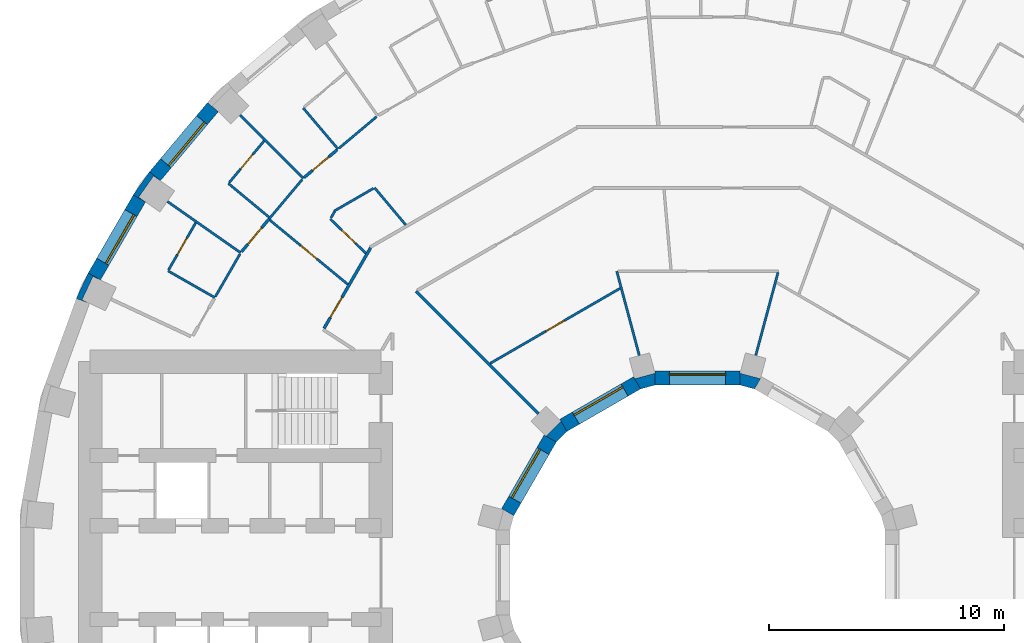
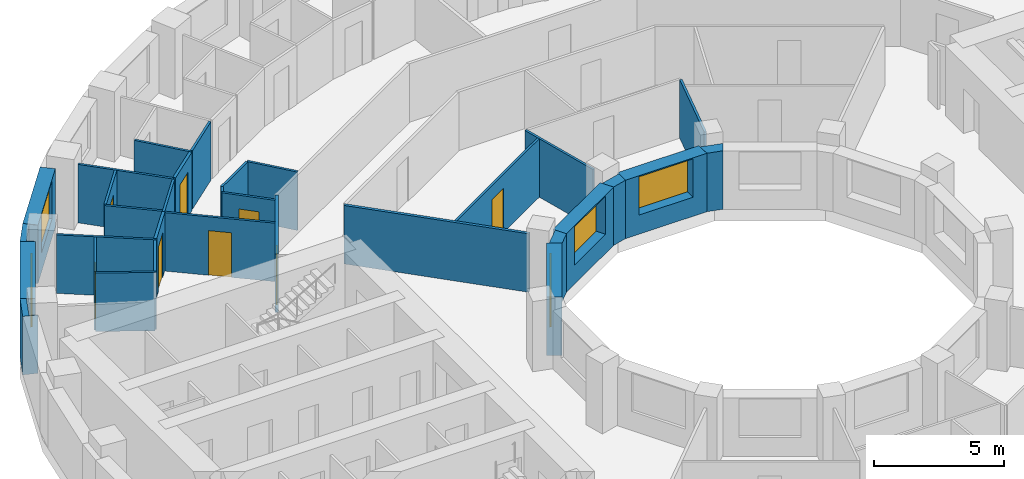
# One storey, part 10 of 15: 32 walls, 8 doors, 5 windows, 13 openings.
"""IFC4 building model written with IfcOpenShell, lengths in metres."""

from ifc_helpers import new_model, si_unit, direction, frame, frame_2d, origin, place, context, subcontext, project, spatial, polyline, rectangle, outline, extrude, material, layer, layer_set, type_object, element, fill, save


model = new_model("IFC4")

# Units and contexts
model_context = context("Model", 3, precision=1e-05, world=origin(), true_north=direction((0.0, 1.0)))
body_context = subcontext(model_context, "Body", "Model", "MODEL_VIEW")
ifc_project = project(units=[si_unit("LENGTHUNIT", "METRE"), si_unit("AREAUNIT", "SQUARE_METRE"), si_unit("VOLUMEUNIT", "CUBIC_METRE"), si_unit("PLANEANGLEUNIT", "RADIAN"), si_unit("MASSUNIT", "GRAM", prefix="KILO")], contexts=[model_context])

# Site, building, storey
site_placement = place(None, origin())
site = spatial("IfcSite", under=ifc_project, at=site_placement, CompositionType="ELEMENT")
building_placement = place(site_placement, origin())
building = spatial("IfcBuilding", under=site, at=building_placement, Name="Saqina Gate Tower", CompositionType="ELEMENT")
storey_placement = place(building_placement, frame((0.0, 0.0, 59.300048828125)))
storey = spatial("IfcBuildingStorey", under=building, at=storey_placement, Name="L16", CompositionType="ELEMENT", Elevation=59.300048828125)

# Walls
ifc_material_1 = material(Name="Brick masonry (red)", Category="masonry")
wall_type_1 = type_object("IfcWallType", Name="BRICK PIER COPING RED", PredefinedType="SOLIDWALL", material=ifc_material_1)
wall_1_placement = place(storey_placement, origin())
element("IfcWall", 1, at=wall_1_placement, inside=storey, type_object=wall_type_1, Name="Pier cap L16 column 15", PredefinedType="SOLIDWALL", context=body_context, shape_type="SweptSolid", body=[
    extrude(outline(polyline([(-23.36669921875, 17.096923828125), (-24.0576171875, 16.110107421875), (-23.5380859375, 15.81005859375), (-23.8251953125, 16.010986328125), (-23.194091796875, 16.912109375), (-22.9072265625, 16.711181640625), (-23.36669921875, 17.096923828125)])), origin(), (0.0, 0.0, 1.0), 2.75),
])
wall_2_placement = place(storey_placement, origin())
element("IfcWall", 2, at=wall_2_placement, inside=storey, type_object=wall_type_1, Name="Pier cap L16 column 16", PredefinedType="SOLIDWALL", context=body_context, shape_type="SweptSolid", body=[
    extrude(outline(polyline([(-26.48974609375, 11.687744140625), (-25.92578125, 11.482666015625), (-26.243408203125, 11.630615234375), (-25.778564453125, 12.627685546875), (-25.4609375, 12.4794921875), (-25.980712890625, 12.779541015625), (-26.48974609375, 11.687744140625)])), origin(), (0.0, 0.0, 1.0), 2.75),
])

# Wall, opening, window
ifc_material_2 = material(Name="Brick masonry (red)", Category="masonry")
ifc_layer_1 = layer(ifc_material_2, 0.60009765625)
ifc_layer_set_1 = layer_set([ifc_layer_1], Name="FW-BRICK-RED")
wall_type_2 = type_object("IfcWallType", Name="FW-BRICK-RED", PredefinedType="SOLIDWALL", material=ifc_layer_set_1)
wall_3_placement = place(storey_placement, frame((-20.664794921875, 19.85009765625, 0.0), z_axis=(0.0, 0.0, 1.0), x_axis=(-0.642809392687, -0.766026164483, 0.0)))
wall_3 = element("IfcWall", 3, at=wall_3_placement, inside=storey, type_object=wall_type_2, Name="Facade wall L16 facet 14", PredefinedType="SOLIDWALL", context=body_context, shape_type="SweptSolid", body=[
    extrude(rectangle(XDim=3.845947265625, YDim=0.60009765625, at=frame_2d((1.9228515625, 0.0))), origin(), (0.0, 0.0, 1.0), 2.75),
])
opening_1_placement = place(wall_3_placement, frame((0.722900390625, 0.0, 0.89990234375)))
opening_1 = element("IfcOpeningElement", 4, at=opening_1_placement, cuts=wall_3, Name="Opening G04-W09", PredefinedType="OPENING", context=body_context, shape_type="SweptSolid", body=[
    extrude(rectangle(XDim=2.39990234375, YDim=1.800048828125, at=frame_2d((1.199951171875, 0.89990234375))), frame((0.0, 0.31201171875, 0.0), z_axis=(0.0, -1.0, 0.0), x_axis=(1.0, 0.0, 0.0)), (0.0, 0.0, 1.0), 0.6240234375),
])
ifc_material_3 = material(Name="Aluminium glazing", Category="aluminium")
window_type_1 = type_object("IfcWindowType", Name="WN-A", PartitioningType="SINGLE_PANEL", PredefinedType="WINDOW", material=ifc_material_3)
window_1_placement = place(opening_1_placement, origin())
window_1 = element("IfcWindow", 5, at=window_1_placement, inside=storey, type_object=window_type_1, Name="Window L16 facet 14", OverallHeight=1.800048828125, OverallWidth=2.39990234375, PartitioningType="SINGLE_PANEL", PredefinedType="WINDOW", context=body_context, shape_type="SweptSolid", body=[
    extrude(rectangle(XDim=2.39990234375, YDim=1.800048828125, at=frame_2d((1.199951171875, 0.89990234375))), frame((0.0, 0.179931640625, 0.0), z_axis=(0.0, -1.0, 0.0), x_axis=(1.0, 0.0, 0.0)), (0.0, 0.0, 1.0), 0.06005859375),
])
fill(opening_1, window_1)

wall_4_placement = place(storey_placement, frame((-23.7978515625, 15.960205078125, 0.0), z_axis=(0.0, 0.0, 1.0), x_axis=(-0.499989888488, -0.86603124159, 0.0)))
wall_4 = element("IfcWall", 6, at=wall_4_placement, inside=storey, type_object=wall_type_2, Name="Facade wall L16 facet 15", PredefinedType="SOLIDWALL", context=body_context, shape_type="SweptSolid", body=[
    extrude(rectangle(XDim=3.845703125, YDim=0.60009765625, at=frame_2d((1.9228515625, 0.0))), origin(), (0.0, 0.0, 1.0), 2.75),
])
opening_2_placement = place(wall_4_placement, frame((0.722900390625, 0.0, 0.89990234375)))
opening_2 = element("IfcOpeningElement", 7, at=opening_2_placement, cuts=wall_4, Name="Opening G04-W10", PredefinedType="OPENING", context=body_context, shape_type="SweptSolid", body=[
    extrude(rectangle(XDim=2.39990234375, YDim=1.800048828125, at=frame_2d((1.199951171875, 0.89990234375))), frame((0.0, 0.31201171875, 0.0), z_axis=(0.0, -1.0, 0.0), x_axis=(1.0, 0.0, 0.0)), (0.0, 0.0, 1.0), 0.6240234375),
])
window_2_placement = place(opening_2_placement, origin())
window_2 = element("IfcWindow", 8, at=window_2_placement, inside=storey, type_object=window_type_1, Name="Window L16 facet 15", OverallHeight=1.800048828125, OverallWidth=2.39990234375, PartitioningType="SINGLE_PANEL", PredefinedType="WINDOW", context=body_context, shape_type="SweptSolid", body=[
    extrude(rectangle(XDim=2.39990234375, YDim=1.800048828125, at=frame_2d((1.199951171875, 0.89990234375))), frame((0.0, 0.179931640625, 0.0), z_axis=(0.0, -1.0, 0.0), x_axis=(1.0, 0.0, 0.0)), (0.0, 0.0, 1.0), 0.06005859375),
])
fill(opening_2, window_2)

ifc_material_4 = material(Name="Glazed ceramic tile", Category="ceramic")
ifc_layer_2 = layer(ifc_material_4, 0.60009765625)
ifc_layer_set_2 = layer_set([ifc_layer_2], Name="IW-TILE")
wall_type_3 = type_object("IfcWallType", Name="IW-TILE", PredefinedType="SOLIDWALL", material=ifc_layer_set_2)
wall_5_placement = place(storey_placement, frame((1.8125, 8.300048828125, 0.0), z_axis=(0.0, 0.0, 1.0), x_axis=(-1.0, 0.0, 0.0)))
wall_5 = element("IfcWall", 9, at=wall_5_placement, inside=storey, type_object=wall_type_3, Name="Well wall L16 facet 3", PredefinedType="SOLIDWALL", context=body_context, shape_type="SweptSolid", body=[
    extrude(rectangle(XDim=3.625, YDim=0.60009765625, at=frame_2d((1.8125, 0.0))), origin(), (0.0, 0.0, 1.0), 2.75),
])
opening_3_placement = place(wall_5_placement, frame((0.612548828125, 0.0, 0.89990234375)))
opening_3 = element("IfcOpeningElement", 10, at=opening_3_placement, cuts=wall_5, Name="Opening G04-W26", PredefinedType="OPENING", context=body_context, shape_type="SweptSolid", body=[
    extrude(rectangle(XDim=2.39990234375, YDim=1.800048828125, at=frame_2d((1.199951171875, 0.89990234375))), frame((0.0, 0.31201171875, 0.0), z_axis=(0.0, -1.0, 0.0), x_axis=(1.0, 0.0, 0.0)), (0.0, 0.0, 1.0), 0.6240234375),
])
ifc_material_5 = material(Name="Aluminium glazing", Category="aluminium")
window_type_2 = type_object("IfcWindowType", Name="WN-W", PartitioningType="SINGLE_PANEL", PredefinedType="WINDOW", material=ifc_material_5)
window_3_placement = place(opening_3_placement, origin())
window_3 = element("IfcWindow", 11, at=window_3_placement, inside=storey, type_object=window_type_2, Name="Well window L16 facet 3", OverallHeight=1.800048828125, OverallWidth=2.39990234375, PartitioningType="SINGLE_PANEL", PredefinedType="WINDOW", context=body_context, shape_type="SweptSolid", body=[
    extrude(rectangle(XDim=2.39990234375, YDim=1.800048828125, at=frame_2d((1.199951171875, 0.89990234375))), frame((0.0, -0.119873046875, 0.0), z_axis=(0.0, -1.0, 0.0), x_axis=(1.0, 0.0, 0.0)), (0.0, 0.0, 1.0), 0.06005859375),
])
fill(opening_3, window_3)

wall_6_placement = place(storey_placement, frame((-2.580322265625, 8.09423828125, 0.0), z_axis=(0.0, 0.0, 1.0), x_axis=(-0.866029693906, -0.499992569217, 0.0)))
wall_6 = element("IfcWall", 12, at=wall_6_placement, inside=storey, type_object=wall_type_3, Name="Well wall L16 facet 4", PredefinedType="SOLIDWALL", context=body_context, shape_type="SweptSolid", body=[
    extrude(rectangle(XDim=3.625, YDim=0.60009765625, at=frame_2d((1.8125, 0.0))), origin(), (0.0, 0.0, 1.0), 2.75),
])
opening_4_placement = place(wall_6_placement, frame((0.612548828125, 0.0, 0.89990234375)))
opening_4 = element("IfcOpeningElement", 13, at=opening_4_placement, cuts=wall_6, Name="Opening G04-W27", PredefinedType="OPENING", context=body_context, shape_type="SweptSolid", body=[
    extrude(rectangle(XDim=2.39990234375, YDim=1.800048828125, at=frame_2d((1.199951171875, 0.89990234375))), frame((0.0, 0.31201171875, 0.0), z_axis=(0.0, -1.0, 0.0), x_axis=(1.0, 0.0, 0.0)), (0.0, 0.0, 1.0), 0.6240234375),
])
window_4_placement = place(opening_4_placement, origin())
window_4 = element("IfcWindow", 14, at=window_4_placement, inside=storey, type_object=window_type_2, Name="Well window L16 facet 4", OverallHeight=1.800048828125, OverallWidth=2.39990234375, PartitioningType="SINGLE_PANEL", PredefinedType="WINDOW", context=body_context, shape_type="SweptSolid", body=[
    extrude(rectangle(XDim=2.39990234375, YDim=1.800048828125, at=frame_2d((1.199951171875, 0.89990234375))), frame((0.0, -0.119873046875, 0.0), z_axis=(0.0, -1.0, 0.0), x_axis=(1.0, 0.0, 0.0)), (0.0, 0.0, 1.0), 0.06005859375),
])
fill(opening_4, window_4)

wall_7_placement = place(storey_placement, frame((-6.28173828125, 5.7197265625, 0.0), z_axis=(0.0, 0.0, 1.0), x_axis=(-0.499992569217, -0.866029693906, 0.0)))
wall_7 = element("IfcWall", 15, at=wall_7_placement, inside=storey, type_object=wall_type_3, Name="Well wall L16 facet 5", PredefinedType="SOLIDWALL", context=body_context, shape_type="SweptSolid", body=[
    extrude(rectangle(XDim=3.625, YDim=0.60009765625, at=frame_2d((1.8125, 0.0))), origin(), (0.0, 0.0, 1.0), 2.75),
])
opening_5_placement = place(wall_7_placement, frame((0.612548828125, 0.0, 0.89990234375)))
opening_5 = element("IfcOpeningElement", 16, at=opening_5_placement, cuts=wall_7, Name="Opening G04-W28", PredefinedType="OPENING", context=body_context, shape_type="SweptSolid", body=[
    extrude(rectangle(XDim=2.39990234375, YDim=1.800048828125, at=frame_2d((1.199951171875, 0.89990234375))), frame((0.0, 0.31201171875, 0.0), z_axis=(0.0, -1.0, 0.0), x_axis=(1.0, 0.0, 0.0)), (0.0, 0.0, 1.0), 0.6240234375),
])
window_5_placement = place(opening_5_placement, origin())
window_5 = element("IfcWindow", 17, at=window_5_placement, inside=storey, type_object=window_type_2, Name="Well window L16 facet 5", OverallHeight=1.800048828125, OverallWidth=2.39990234375, PartitioningType="SINGLE_PANEL", PredefinedType="WINDOW", context=body_context, shape_type="SweptSolid", body=[
    extrude(rectangle(XDim=2.39990234375, YDim=1.800048828125, at=frame_2d((1.199951171875, 0.89990234375))), frame((0.0, -0.119873046875, 0.0), z_axis=(0.0, -1.0, 0.0), x_axis=(1.0, 0.0, 0.0)), (0.0, 0.0, 1.0), 0.06005859375),
])
fill(opening_5, window_5)

# Walls
ifc_material_6 = material(Name="Gypsum board on steel studs, 100 mm", Category="steel")
ifc_layer_3 = layer(ifc_material_6, 0.10009765625)
ifc_layer_set_3 = layer_set([ifc_layer_3], Name="PARTITION 100")
wall_type_4 = type_object("IfcWallType", Name="PARTITION 100", PredefinedType="PARTITIONING", material=ifc_layer_set_3)
wall_8_placement = place(storey_placement, frame((-3.443115234375, 12.85009765625, 0.0), z_axis=(0.0, 0.0, 1.0), x_axis=(0.258137576588, -0.966108167626, 0.0)))
element("IfcWall", 18, at=wall_8_placement, inside=storey, type_object=wall_type_4, Name="PARTITION PW3-10", PredefinedType="PARTITIONING", context=body_context, shape_type="SweptSolid", body=[
    extrude(rectangle(XDim=3.711181640625, YDim=0.10009765625, at=frame_2d((1.85546875, 0.0))), origin(), (0.0, 0.0, 1.0), 2.75),
])
wall_9_placement = place(storey_placement, frame((-13.77197265625, 16.4130859375, 0.0), z_axis=(0.0, 0.0, 1.0), x_axis=(0.642721705291, -0.766099738643, 0.0)))
element("IfcWall", 19, at=wall_9_placement, inside=storey, type_object=wall_type_4, Name="PARTITION PW3-22", PredefinedType="PARTITIONING", context=body_context, shape_type="SweptSolid", body=[
    extrude(rectangle(XDim=2.06982421875, YDim=0.10009765625, at=frame_2d((1.034912109375, 0.0))), origin(), (0.0, 0.0, 1.0), 2.75),
])
wall_10_placement = place(storey_placement, frame((-16.81689453125, 19.81591796875, 0.0), z_axis=(0.0, 0.0, 1.0), x_axis=(0.646883930741, -0.762588473653, 0.0)))
element("IfcWall", 20, at=wall_10_placement, inside=storey, type_object=wall_type_4, Name="PARTITION PW3-23", PredefinedType="PARTITIONING", context=body_context, shape_type="SweptSolid", body=[
    extrude(rectangle(XDim=2.300048828125, YDim=0.10009765625, at=frame_2d((1.14990234375, 0.0))), origin(), (0.0, 0.0, 1.0), 2.75),
])
wall_11_placement = place(storey_placement, frame((-19.509033203125, 19.509033203125, 0.0), z_axis=(0.0, 0.0, 1.0), x_axis=(0.707106781187, -0.707106781187, 0.0)))
element("IfcWall", 21, at=wall_11_placement, inside=storey, type_object=wall_type_4, Name="PARTITION PW3-25", PredefinedType="PARTITIONING", context=body_context, shape_type="SweptSolid", body=[
    extrude(rectangle(XDim=3.81005859375, YDim=0.10009765625, at=frame_2d((1.905029296875, 0.0))), origin(), (0.0, 0.0, 1.0), 2.75),
])

# Wall, opening, door
wall_12_placement = place(storey_placement, frame((-15.657958984375, 15.077880859375, 0.0), z_axis=(0.0, 0.0, 1.0), x_axis=(0.720406258369, -0.693552321676, 0.0)))
wall_12 = element("IfcWall", 22, at=wall_12_placement, inside=storey, type_object=wall_type_4, Name="PARTITION PW3-27", PredefinedType="PARTITIONING", context=body_context, shape_type="SweptSolid", body=[
    extrude(rectangle(XDim=2.10009765625, YDim=0.10009765625, at=frame_2d((1.050048828125, 0.0))), origin(), (0.0, 0.0, 1.0), 2.75),
])
opening_6_placement = place(wall_12_placement, frame((0.681396484375, 0.0, 0.0)))
opening_6 = element("IfcOpeningElement", 23, at=opening_6_placement, cuts=wall_12, Name="Opening G04-D30", PredefinedType="OPENING", context=body_context, shape_type="SweptSolid", body=[
    extrude(rectangle(XDim=0.800048828125, YDim=2.10009765625, at=frame_2d((0.39990234375, 1.050048828125))), frame((0.0, 0.06201171875, 0.0), z_axis=(0.0, -1.0, 0.0), x_axis=(1.0, 0.0, 0.0)), (0.0, 0.0, 1.0), 0.1240234375),
])
ifc_material_7 = material(Name="Timber door leaf, 800 mm", Category="wood")
door_type_1 = type_object("IfcDoorType", Name="DOOR 800 TIMBER", OperationType="SINGLE_SWING_LEFT", PredefinedType="DOOR", material=ifc_material_7)
door_1_placement = place(opening_6_placement, frame((0.800048828125, 0.0, 0.0), z_axis=(0.0, 0.0, 1.0), x_axis=(-1.0, 0.0, 0.0)))
door_1 = element("IfcDoor", 24, at=door_1_placement, inside=storey, type_object=door_type_1, Name="DOOR G04-D30", OperationType="SINGLE_SWING_LEFT", OverallHeight=2.10009765625, OverallWidth=0.800048828125, PredefinedType="DOOR", context=body_context, shape_type="SweptSolid", body=[
    extrude(rectangle(XDim=0.800048828125, YDim=2.10009765625, at=frame_2d((0.39990234375, 1.050048828125))), frame((0.0, 0.02490234375, 0.0), z_axis=(0.0, -1.0, 0.0), x_axis=(1.0, 0.0, 0.0)), (0.0, 0.0, 1.0), 0.050048828125),
])
fill(opening_6, door_1)

# Wall
wall_13_placement = place(storey_placement, frame((-20.0029296875, 16.593994140625, 0.0), z_axis=(0.0, 0.0, 1.0), x_axis=(0.769713734446, -0.638389197125, 0.0)))
element("IfcWall", 25, at=wall_13_placement, inside=storey, type_object=wall_type_4, Name="PARTITION PW3-32", PredefinedType="PARTITIONING", context=body_context, shape_type="SweptSolid", body=[
    extrude(rectangle(XDim=2.24951171875, YDim=0.10009765625, at=frame_2d((1.124755859375, 0.0))), origin(), (0.0, 0.0, 1.0), 2.75),
])

# Wall, opening, door
wall_14_placement = place(storey_placement, frame((-18.231689453125, 15.029296875, 0.0), z_axis=(0.0, 0.0, 1.0), x_axis=(0.771607312324, -0.636099171174, 0.0)))
wall_14 = element("IfcWall", 26, at=wall_14_placement, inside=storey, type_object=wall_type_4, Name="PARTITION PW3-34", PredefinedType="PARTITIONING", context=body_context, shape_type="SweptSolid", body=[
    extrude(rectangle(XDim=4.300537109375, YDim=0.10009765625, at=frame_2d((2.150390625, 0.0))), origin(), (0.0, 0.0, 1.0), 2.75),
])
opening_7_placement = place(wall_14_placement, frame((1.7001953125, 0.0, 0.0)))
opening_7 = element("IfcOpeningElement", 27, at=opening_7_placement, cuts=wall_14, Name="Opening G04-D32", PredefinedType="OPENING", context=body_context, shape_type="SweptSolid", body=[
    extrude(rectangle(XDim=0.89990234375, YDim=2.10009765625, at=frame_2d((0.449951171875, 1.050048828125))), frame((0.0, 0.06201171875, 0.0), z_axis=(0.0, -1.0, 0.0), x_axis=(1.0, 0.0, 0.0)), (0.0, 0.0, 1.0), 0.1240234375),
])
ifc_material_8 = material(Name="Timber door leaf, 900 mm", Category="wood")
door_type_2 = type_object("IfcDoorType", Name="DOOR 900 TIMBER", OperationType="SINGLE_SWING_LEFT", PredefinedType="DOOR", material=ifc_material_8)
door_2_placement = place(opening_7_placement, origin())
door_2 = element("IfcDoor", 28, at=door_2_placement, inside=storey, type_object=door_type_2, Name="DOOR G04-D32", OperationType="SINGLE_SWING_LEFT", OverallHeight=2.10009765625, OverallWidth=0.89990234375, PredefinedType="DOOR", context=body_context, shape_type="SweptSolid", body=[
    extrude(rectangle(XDim=0.89990234375, YDim=2.10009765625, at=frame_2d((0.449951171875, 1.050048828125))), frame((0.0, 0.02490234375, 0.0), z_axis=(0.0, -1.0, 0.0), x_axis=(1.0, 0.0, 0.0)), (0.0, 0.0, 1.0), 0.050048828125),
])
fill(opening_7, door_2)

# Walls
wall_15_placement = place(storey_placement, frame((-22.6005859375, 15.824951171875, 0.0), z_axis=(0.0, 0.0, 1.0), x_axis=(0.819153632733, -0.573574167811, 0.0)))
element("IfcWall", 29, at=wall_15_placement, inside=storey, type_object=wall_type_4, Name="PARTITION PW3-36", PredefinedType="PARTITIONING", context=body_context, shape_type="SweptSolid", body=[
    extrude(rectangle(XDim=3.8095703125, YDim=0.10009765625, at=frame_2d((1.90478515625, 0.0))), origin(), (0.0, 0.0, 1.0), 2.75),
])
wall_16_placement = place(storey_placement, frame((-22.580078125, 12.868896484375, 0.0), z_axis=(0.0, 0.0, 1.0), x_axis=(0.868771789729, -0.495212658735, 0.0)))
element("IfcWall", 30, at=wall_16_placement, inside=storey, type_object=wall_type_4, Name="PARTITION PW3-45", PredefinedType="PARTITIONING", context=body_context, shape_type="SweptSolid", body=[
    extrude(rectangle(XDim=2.2998046875, YDim=0.10009765625, at=frame_2d((1.14990234375, 0.0))), origin(), (0.0, 0.0, 1.0), 2.75),
])

# Wall, opening, door
wall_17_placement = place(storey_placement, frame((-8.83984375, 8.92529296875, 0.0), z_axis=(0.0, 0.0, 1.0), x_axis=(0.865965699973, 0.50010339578, 0.0)))
wall_17 = element("IfcWall", 31, at=wall_17_placement, inside=storey, type_object=wall_type_4, Name="PARTITION PW3-75", PredefinedType="PARTITIONING", context=body_context, shape_type="SweptSolid", body=[
    extrude(rectangle(XDim=6.398193359375, YDim=0.10009765625, at=frame_2d((3.19921875, 0.0))), origin(), (0.0, 0.0, 1.0), 2.75),
])
opening_8_placement = place(wall_17_placement, frame((2.742919921875, 0.0, 0.0)))
opening_8 = element("IfcOpeningElement", 32, at=opening_8_placement, cuts=wall_17, Name="Opening G04-D25", PredefinedType="OPENING", context=body_context, shape_type="SweptSolid", body=[
    extrude(rectangle(XDim=0.89990234375, YDim=2.10009765625, at=frame_2d((0.449951171875, 1.050048828125))), frame((0.0, 0.06201171875, 0.0), z_axis=(0.0, -1.0, 0.0), x_axis=(1.0, 0.0, 0.0)), (0.0, 0.0, 1.0), 0.1240234375),
])
door_3_placement = place(opening_8_placement, origin())
door_3 = element("IfcDoor", 33, at=door_3_placement, inside=storey, type_object=door_type_2, Name="DOOR G04-D25", OperationType="SINGLE_SWING_LEFT", OverallHeight=2.10009765625, OverallWidth=0.89990234375, PredefinedType="DOOR", context=body_context, shape_type="SweptSolid", body=[
    extrude(rectangle(XDim=0.89990234375, YDim=2.10009765625, at=frame_2d((0.449951171875, 1.050048828125))), frame((0.0, 0.02490234375, 0.0), z_axis=(0.0, -1.0, 0.0), x_axis=(1.0, 0.0, 0.0)), (0.0, 0.0, 1.0), 0.050048828125),
])
fill(opening_8, door_3)

# Walls
wall_18_placement = place(storey_placement, frame((-15.49609375, 15.4169921875, 0.0), z_axis=(0.0, 0.0, 1.0), x_axis=(0.865919547832, 0.500183303083, 0.0)))
element("IfcWall", 34, at=wall_18_placement, inside=storey, type_object=wall_type_4, Name="PARTITION PW3-76", PredefinedType="PARTITIONING", context=body_context, shape_type="SweptSolid", body=[
    extrude(rectangle(XDim=1.941162109375, YDim=0.10009765625, at=frame_2d((0.970703125, 0.0))), origin(), (0.0, 0.0, 1.0), 2.75),
])
wall_19_placement = place(storey_placement, frame((-15.290771484375, 18.09423828125, 0.0), z_axis=(0.0, 0.0, 1.0), x_axis=(0.765911671875, 0.642945807114, 0.0)))
element("IfcWall", 35, at=wall_19_placement, inside=storey, type_object=wall_type_4, Name="PARTITION PW3-81", PredefinedType="PARTITIONING", context=body_context, shape_type="SweptSolid", body=[
    extrude(rectangle(XDim=2.092529296875, YDim=0.10009765625, at=frame_2d((1.04638671875, 0.0))), origin(), (0.0, 0.0, 1.0), 2.75),
])
wall_20_placement = place(storey_placement, frame((-18.264892578125, 15.08740234375, 0.0), z_axis=(0.0, 0.0, 1.0), x_axis=(0.643038029584, 0.765834246106, 0.0)))
element("IfcWall", 36, at=wall_20_placement, inside=storey, type_object=wall_type_4, Name="PARTITION PW3-87", PredefinedType="PARTITIONING", context=body_context, shape_type="SweptSolid", body=[
    extrude(rectangle(XDim=2.19287109375, YDim=0.10009765625, at=frame_2d((1.096435546875, 0.0))), origin(), (0.0, 0.0, 1.0), 2.75),
])

# Wall, opening, door
wall_21_placement = place(storey_placement, frame((-19.970947265625, 16.63232421875, 0.0), z_axis=(0.0, 0.0, 1.0), x_axis=(0.642624220064, 0.766181513603, 0.0)))
wall_21 = element("IfcWall", 37, at=wall_21_placement, inside=storey, type_object=wall_type_4, Name="PARTITION PW3-88", PredefinedType="PARTITIONING", context=body_context, shape_type="SweptSolid", body=[
    extrude(rectangle(XDim=2.31982421875, YDim=0.10009765625, at=frame_2d((1.159912109375, 0.0))), origin(), (0.0, 0.0, 1.0), 2.75),
])
opening_9_placement = place(wall_21_placement, frame((0.760009765625, 0.0, 0.0)))
opening_9 = element("IfcOpeningElement", 38, at=opening_9_placement, cuts=wall_21, Name="Opening G04-D31", PredefinedType="OPENING", context=body_context, shape_type="SweptSolid", body=[
    extrude(rectangle(XDim=0.800048828125, YDim=2.10009765625, at=frame_2d((0.39990234375, 1.050048828125))), frame((0.0, 0.06201171875, 0.0), z_axis=(0.0, -1.0, 0.0), x_axis=(1.0, 0.0, 0.0)), (0.0, 0.0, 1.0), 0.1240234375),
])
door_4_placement = place(opening_9_placement, origin())
door_4 = element("IfcDoor", 39, at=door_4_placement, inside=storey, type_object=door_type_1, Name="DOOR G04-D31", OperationType="SINGLE_SWING_RIGHT", OverallHeight=2.10009765625, OverallWidth=0.800048828125, PredefinedType="DOOR", context=body_context, shape_type="SweptSolid", body=[
    extrude(rectangle(XDim=0.800048828125, YDim=2.10009765625, at=frame_2d((0.39990234375, 1.050048828125))), frame((0.0, 0.02490234375, 0.0), z_axis=(0.0, -1.0, 0.0), x_axis=(1.0, 0.0, 0.0)), (0.0, 0.0, 1.0), 0.050048828125),
])
fill(opening_9, door_4)

# Wall
wall_22_placement = place(storey_placement, frame((-20.55712890625, 11.773193359375, 0.0), z_axis=(0.0, 0.0, 1.0), x_axis=(0.499752749986, 0.866168106594, 0.0)))
element("IfcWall", 40, at=wall_22_placement, inside=storey, type_object=wall_type_4, Name="PARTITION PW3-94", PredefinedType="PARTITIONING", context=body_context, shape_type="SweptSolid", body=[
    extrude(rectangle(XDim=2.0927734375, YDim=0.10009765625, at=frame_2d((1.04638671875, 0.0))), origin(), (0.0, 0.0, 1.0), 2.75),
])

# Wall, opening, door
wall_23_placement = place(storey_placement, frame((-22.554931640625, 12.912353515625, 0.0), z_axis=(0.0, 0.0, 1.0), x_axis=(0.499819678633, 0.866129487347, 0.0)))
wall_23 = element("IfcWall", 41, at=wall_23_placement, inside=storey, type_object=wall_type_4, Name="PARTITION PW3-95", PredefinedType="PARTITIONING", context=body_context, shape_type="SweptSolid", body=[
    extrude(rectangle(XDim=2.318603515625, YDim=0.10009765625, at=frame_2d((1.1591796875, 0.0))), origin(), (0.0, 0.0, 1.0), 2.75),
])
opening_10_placement = place(wall_23_placement, frame((0.759521484375, 0.0, 0.0)))
opening_10 = element("IfcOpeningElement", 42, at=opening_10_placement, cuts=wall_23, Name="Opening G04-D35", PredefinedType="OPENING", context=body_context, shape_type="SweptSolid", body=[
    extrude(rectangle(XDim=0.800048828125, YDim=2.10009765625, at=frame_2d((0.39990234375, 1.050048828125))), frame((0.0, 0.06201171875, 0.0), z_axis=(0.0, -1.0, 0.0), x_axis=(1.0, 0.0, 0.0)), (0.0, 0.0, 1.0), 0.1240234375),
])
door_5_placement = place(opening_10_placement, origin())
door_5 = element("IfcDoor", 43, at=door_5_placement, inside=storey, type_object=door_type_1, Name="DOOR G04-D35", OperationType="SINGLE_SWING_LEFT", OverallHeight=2.10009765625, OverallWidth=0.800048828125, PredefinedType="DOOR", context=body_context, shape_type="SweptSolid", body=[
    extrude(rectangle(XDim=0.800048828125, YDim=2.10009765625, at=frame_2d((0.39990234375, 1.050048828125))), frame((0.0, 0.02490234375, 0.0), z_axis=(0.0, -1.0, 0.0), x_axis=(1.0, 0.0, 0.0)), (0.0, 0.0, 1.0), 0.050048828125),
])
fill(opening_10, door_5)

# Walls
wall_24_placement = place(storey_placement, frame((-15.633056640625, 15.121337890625, 0.0), z_axis=(0.0, 0.0, 1.0), x_axis=(0.499375175205, 0.866385846139, 0.0)))
element("IfcWall", 44, at=wall_24_placement, inside=storey, type_object=wall_type_4, Name="PARTITION PW3-96", PredefinedType="PARTITIONING", context=body_context, shape_type="SweptSolid", body=[
    extrude(rectangle(XDim=0.32470703125, YDim=0.10009765625, at=frame_2d((0.162353515625, 0.0))), origin(), (0.0, 0.0, 1.0), 2.75),
])
wall_25_placement = place(storey_placement, frame((2.48291015625, 9.265380859375, 0.0), z_axis=(0.0, 0.0, 1.0), x_axis=(0.258882752153, 0.965908753784, 0.0)))
element("IfcWall", 45, at=wall_25_placement, inside=storey, type_object=wall_type_4, Name="PARTITION PW3-107", PredefinedType="PARTITIONING", context=body_context, shape_type="SweptSolid", body=[
    extrude(rectangle(XDim=3.660888671875, YDim=0.10009765625, at=frame_2d((1.83056640625, 0.0))), origin(), (0.0, 0.0, 1.0), 2.75),
])
ifc_material_9 = material(Name="Gypsum board on steel studs, 125 mm, fire rated", Category="steel")
ifc_layer_4 = layer(ifc_material_9, 0.125)
ifc_layer_set_4 = layer_set([ifc_layer_4], Name="PARTITION EI 30 125")
wall_type_5 = type_object("IfcWallType", Name="PARTITION EI 30 125", PredefinedType="PARTITIONING", material=ifc_layer_set_4)
wall_26_placement = place(storey_placement, frame((-12.006103515625, 12.006103515625, 0.0), z_axis=(0.0, 0.0, 1.0), x_axis=(0.707106781187, -0.707106781187, 0.0)))
element("IfcWall", 46, at=wall_26_placement, inside=storey, type_object=wall_type_5, Name="PARTITION PW1-05", PredefinedType="PARTITIONING", context=body_context, shape_type="SweptSolid", body=[
    extrude(rectangle(XDim=7.386962890625, YDim=0.125, at=frame_2d((3.693359375, 0.0))), origin(), (0.0, 0.0, 1.0), 2.75),
])

# Wall, opening, door
wall_27_placement = place(storey_placement, frame((-16.776611328125, 16.84716796875, 0.0), z_axis=(0.0, 0.0, 1.0), x_axis=(0.766052425686, 0.642778096314, 0.0)))
wall_27 = element("IfcWall", 47, at=wall_27_placement, inside=storey, type_object=wall_type_5, Name="PARTITION PW1-40", PredefinedType="PARTITIONING", context=body_context, shape_type="SweptSolid", body=[
    extrude(rectangle(XDim=1.83984375, YDim=0.125, at=frame_2d((0.919921875, 0.0))), origin(), (0.0, 0.0, 1.0), 2.75),
])
opening_11_placement = place(wall_27_placement, frame((0.469970703125, 0.0, 0.0)))
opening_11 = element("IfcOpeningElement", 48, at=opening_11_placement, cuts=wall_27, Name="Opening G04-D29", PredefinedType="OPENING", context=body_context, shape_type="SweptSolid", body=[
    extrude(rectangle(XDim=0.89990234375, YDim=2.10009765625, at=frame_2d((0.449951171875, 1.050048828125))), frame((0.0, 0.074462890625, 0.0), z_axis=(0.0, -1.0, 0.0), x_axis=(1.0, 0.0, 0.0)), (0.0, 0.0, 1.0), 0.14892578125),
])
ifc_material_10 = material(Name="Fire door leaf EI 30, 900 mm")
door_type_3 = type_object("IfcDoorType", Name="DOOR 900 EI 30", OperationType="SINGLE_SWING_LEFT", PredefinedType="DOOR", material=ifc_material_10)
door_6_placement = place(opening_11_placement, frame((0.89990234375, 0.0, 0.0), z_axis=(0.0, 0.0, 1.0), x_axis=(-1.0, 0.0, 0.0)))
door_6 = element("IfcDoor", 49, at=door_6_placement, inside=storey, type_object=door_type_3, Name="DOOR G04-D29", OperationType="SINGLE_SWING_RIGHT", OverallHeight=2.10009765625, OverallWidth=0.89990234375, PredefinedType="DOOR", context=body_context, shape_type="SweptSolid", body=[
    extrude(rectangle(XDim=0.89990234375, YDim=2.10009765625, at=frame_2d((0.449951171875, 1.050048828125))), frame((0.0, 0.02490234375, 0.0), z_axis=(0.0, -1.0, 0.0), x_axis=(1.0, 0.0, 0.0)), (0.0, 0.0, 1.0), 0.050048828125),
])
fill(opening_11, door_6)

wall_28_placement = place(storey_placement, frame((-19.44775390625, 13.67822265625, 0.0), z_axis=(0.0, 0.0, 1.0), x_axis=(0.642778096314, 0.766052425686, 0.0)))
wall_28 = element("IfcWall", 50, at=wall_28_placement, inside=storey, type_object=wall_type_5, Name="PARTITION PW1-45", PredefinedType="PARTITIONING", context=body_context, shape_type="SweptSolid", body=[
    extrude(rectangle(XDim=1.83984375, YDim=0.125, at=frame_2d((0.919921875, 0.0))), origin(), (0.0, 0.0, 1.0), 2.75),
])
opening_12_placement = place(wall_28_placement, frame((0.43310546875, 0.0, 0.0)))
opening_12 = element("IfcOpeningElement", 51, at=opening_12_placement, cuts=wall_28, Name="Opening G04-D33", PredefinedType="OPENING", context=body_context, shape_type="SweptSolid", body=[
    extrude(rectangle(XDim=0.89990234375, YDim=2.10009765625, at=frame_2d((0.449951171875, 1.050048828125))), frame((0.0, 0.074462890625, 0.0), z_axis=(0.0, -1.0, 0.0), x_axis=(1.0, 0.0, 0.0)), (0.0, 0.0, 1.0), 0.14892578125),
])
door_7_placement = place(opening_12_placement, frame((0.89990234375, 0.0, 0.0), z_axis=(0.0, 0.0, 1.0), x_axis=(-1.0, 0.0, 0.0)))
door_7 = element("IfcDoor", 52, at=door_7_placement, inside=storey, type_object=door_type_3, Name="DOOR G04-D33", OperationType="SINGLE_SWING_LEFT", OverallHeight=2.10009765625, OverallWidth=0.89990234375, PredefinedType="DOOR", context=body_context, shape_type="SweptSolid", body=[
    extrude(rectangle(XDim=0.89990234375, YDim=2.10009765625, at=frame_2d((0.449951171875, 1.050048828125))), frame((0.0, 0.02490234375, 0.0), z_axis=(0.0, -1.0, 0.0), x_axis=(1.0, 0.0, 0.0)), (0.0, 0.0, 1.0), 0.050048828125),
])
fill(opening_12, door_7)

wall_29_placement = place(storey_placement, frame((-15.92578125, 10.416015625, 0.0), z_axis=(0.0, 0.0, 1.0), x_axis=(0.500020477838, 0.866013580576, 0.0)))
wall_29 = element("IfcWall", 53, at=wall_29_placement, inside=storey, type_object=wall_type_5, Name="PARTITION PW1-50", PredefinedType="PARTITIONING", context=body_context, shape_type="SweptSolid", body=[
    extrude(rectangle(XDim=3.970947265625, YDim=0.125, at=frame_2d((1.9853515625, 0.0))), origin(), (0.0, 0.0, 1.0), 2.75),
])
opening_13_placement = place(wall_29_placement, frame((0.52978515625, 0.0, 0.0)))
opening_13 = element("IfcOpeningElement", 54, at=opening_13_placement, cuts=wall_29, Name="Opening G04-D34", PredefinedType="OPENING", context=body_context, shape_type="SweptSolid", body=[
    extrude(rectangle(XDim=1.0, YDim=2.10009765625, at=frame_2d((0.5, 1.050048828125))), frame((0.0, 0.074462890625, 0.0), z_axis=(0.0, -1.0, 0.0), x_axis=(1.0, 0.0, 0.0)), (0.0, 0.0, 1.0), 0.14892578125),
])
ifc_material_11 = material(Name="Fire door leaf EI 30, 1000 mm")
door_type_4 = type_object("IfcDoorType", Name="DOOR 1000 EI 30", OperationType="SINGLE_SWING_LEFT", PredefinedType="DOOR", material=ifc_material_11)
door_8_placement = place(opening_13_placement, origin())
door_8 = element("IfcDoor", 55, at=door_8_placement, inside=storey, type_object=door_type_4, Name="DOOR G04-D34", OperationType="SINGLE_SWING_RIGHT", OverallHeight=2.10009765625, OverallWidth=1.0, PredefinedType="DOOR", context=body_context, shape_type="SweptSolid", body=[
    extrude(rectangle(XDim=1.0, YDim=2.10009765625, at=frame_2d((0.5, 1.050048828125))), frame((0.0, 0.02490234375, 0.0), z_axis=(0.0, -1.0, 0.0), x_axis=(1.0, 0.0, 0.0)), (0.0, 0.0, 1.0), 0.050048828125),
])
fill(opening_13, door_8)

# Walls
ifc_material_12 = material(Name="Glazed ceramic tile", Category="ceramic")
wall_type_6 = type_object("IfcWallType", Name="TILE PIER COPING", PredefinedType="SOLIDWALL", material=ifc_material_12)
wall_30_placement = place(storey_placement, origin())
element("IfcWall", 56, at=wall_30_placement, inside=storey, type_object=wall_type_6, Name="Well pier cap L16 column 3", PredefinedType="SOLIDWALL", context=body_context, shape_type="SweptSolid", body=[
    extrude(outline(polyline([(1.8125, 8.502685546875), (1.8125, 8.0), (2.430419921875, 7.83447265625), (2.681884765625, 8.27001953125), (1.8125, 8.502685546875)])), origin(), (0.0, 0.0, 1.0), 2.75),
])
wall_31_placement = place(storey_placement, origin())
element("IfcWall", 57, at=wall_31_placement, inside=storey, type_object=wall_type_6, Name="Well pier cap L16 column 4", PredefinedType="SOLIDWALL", context=body_context, shape_type="SweptSolid", body=[
    extrude(outline(polyline([(-2.681884765625, 8.27001953125), (-2.430419921875, 7.83447265625), (-1.8125, 8.0), (-1.8125, 8.502685546875), (-2.681884765625, 8.27001953125)])), origin(), (0.0, 0.0, 1.0), 2.75),
])
wall_32_placement = place(storey_placement, origin())
element("IfcWall", 58, at=wall_32_placement, inside=storey, type_object=wall_type_6, Name="Well pier cap L16 column 5", PredefinedType="SOLIDWALL", context=body_context, shape_type="SweptSolid", body=[
    extrude(outline(polyline([(-6.45751953125, 5.821044921875), (-6.02197265625, 5.569580078125), (-5.569580078125, 6.02197265625), (-5.821044921875, 6.45751953125), (-6.45751953125, 5.821044921875)])), origin(), (0.0, 0.0, 1.0), 2.75),
])

save(model, "model.ifc")
